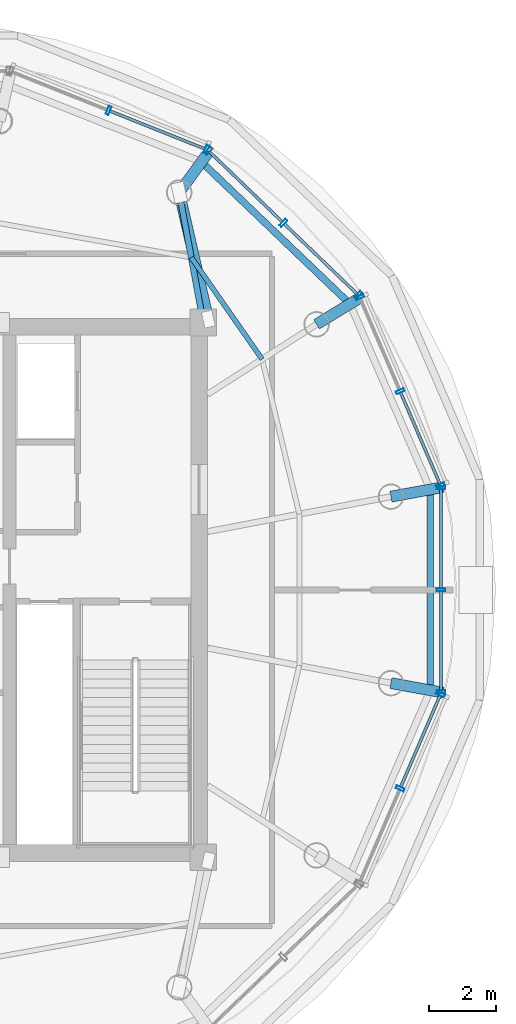
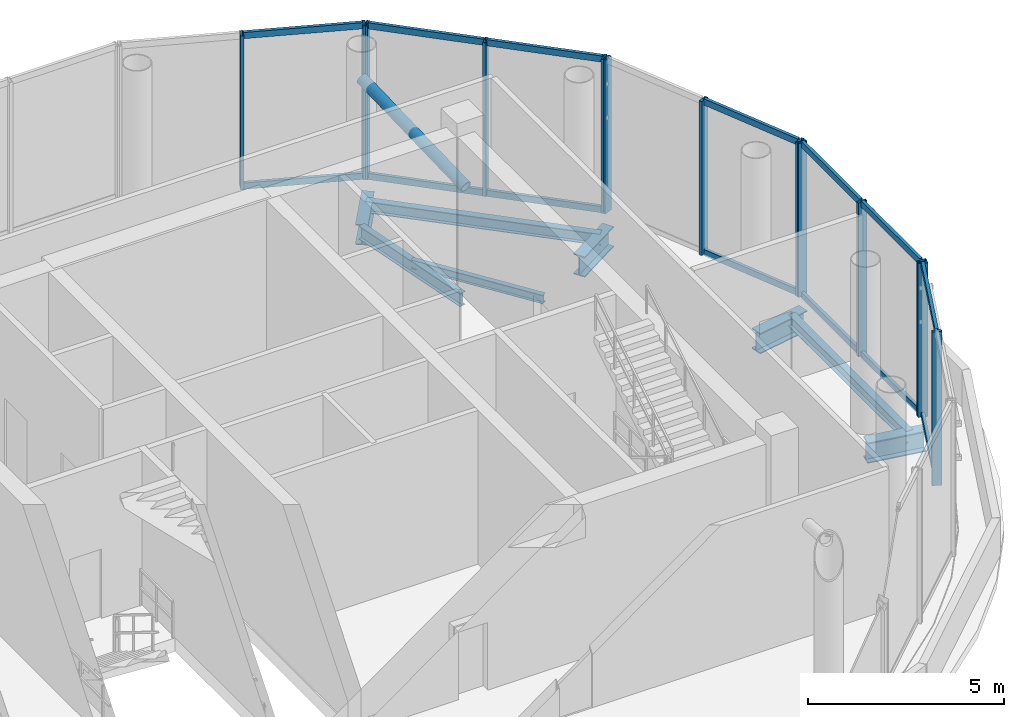
# One storey, part 7 of 14: 28 members, 8 beams, 5 elements without a shape of their own.
"""IFC4 building model written with IfcOpenShell, lengths in metres."""

from ifc_helpers import new_model, si_unit, direction, frame, origin, origin_2d, place, context, subcontext, project, spatial, hollow_rectangle, hollow_circle, i_section, extrude, source, transform, mapped, material, material_profile, profile_set, type_object, element, aggregate, save


model = new_model("IFC4")

# Units and contexts
model_context = context("Model", 3, precision=1e-05, world=origin(), true_north=direction((-0.2419218956, 0.970295726276)))
body_context = subcontext(model_context, "Body", "Model", "MODEL_VIEW")
ifc_project = project(units=[si_unit("LENGTHUNIT", "METRE"), si_unit("AREAUNIT", "SQUARE_METRE"), si_unit("VOLUMEUNIT", "CUBIC_METRE"), si_unit("PLANEANGLEUNIT", "RADIAN"), si_unit("MASSUNIT", "GRAM", prefix="KILO")], contexts=[model_context])

# Site, building, storey
site_placement = place(None, origin())
site = spatial("IfcSite", under=ifc_project, at=site_placement, CompositionType="ELEMENT")
building_placement = place(site_placement, origin())
building = spatial("IfcBuilding", under=site, at=building_placement, Name="Cobrevalo Terracotta Tower", CompositionType="ELEMENT")
storey_placement = place(building_placement, frame((0.0, 0.0, 321.699951171875)))
storey = spatial("IfcBuildingStorey", under=building, at=storey_placement, Name="L83", CompositionType="ELEMENT", Elevation=321.699951171875)

# Beams
ifc_material_1 = material(Name="Steel S355", Category="steel")
ifc_material_profile_1 = material_profile(ifc_material_1, i_section(OverallWidth=0.179931640625, OverallDepth=0.4130859375, WebThickness=0.009765625, FlangeThickness=0.01611328125, at=origin_2d()), Name="W 410x75")
ifc_profile_set_1 = profile_set([ifc_material_profile_1], Name="Steel S355")
beam_type_1 = type_object("IfcBeamType", Name="Structural Beam W 410x75 (Steel S355)", PredefinedType="BEAM", material=ifc_profile_set_1)
beam_1_placement = place(storey_placement, frame((46.278076171875, 38.68994140625, -0.62646484375), z_axis=(0.18247374128, -0.983210727028, 0.0), x_axis=(0.983210727028, 0.18247374128, 0.0)))
element("IfcBeam", 1, at=beam_1_placement, inside=storey, type_object=beam_type_1, Name="L83 radial floor girder 03", PredefinedType="BEAM", context=body_context, shape_type="SweptSolid", body=[
    extrude(i_section(OverallWidth=0.179931640625, OverallDepth=0.4130859375, WebThickness=0.009765625, FlangeThickness=0.01611328125, at=origin_2d()), origin(), (0.0, 0.0, 1.0), 3.956298828125),
])
ifc_material_profile_2 = material_profile(ifc_material_1, i_section(OverallWidth=0.3291015625, OverallDepth=0.635009765625, WebThickness=0.017822265625, FlangeThickness=0.031005859375, at=origin_2d()), Name="W 610x241")
ifc_profile_set_2 = profile_set([ifc_material_profile_2], Name="Steel S355")
beam_type_2 = type_object("IfcBeamType", Name="Structural Beam W 610x241 (Steel S355)", PredefinedType="BEAM", material=ifc_profile_set_2)
beam_2_placement = place(storey_placement, frame((54.16455078125, 29.87255859375, -0.737548828125), z_axis=(-0.983785547298, -0.179348813566, 0.0), x_axis=(0.179348813566, -0.983785547298, 0.0)))
element("IfcBeam", 2, at=beam_2_placement, inside=storey, type_object=beam_type_2, Name="L83 setback step-link girder 01", PredefinedType="BEAM", context=body_context, shape_type="SweptSolid", body=[
    extrude(i_section(OverallWidth=0.3291015625, OverallDepth=0.635009765625, WebThickness=0.017822265625, FlangeThickness=0.031005859375, at=origin_2d()), origin(), (0.0, 0.0, 1.0), 1.576416015625),
])
beam_3_placement = place(storey_placement, frame((51.710693359375, 35.55419921875, -0.737548828125), z_axis=(-0.852759676471, -0.522303488581, 0.0), x_axis=(0.522303488581, -0.852759676471, 0.0)))
element("IfcBeam", 3, at=beam_3_placement, inside=storey, type_object=beam_type_2, Name="L83 setback step-link girder 02", PredefinedType="BEAM", context=body_context, shape_type="SweptSolid", body=[
    extrude(i_section(OverallWidth=0.3291015625, OverallDepth=0.635009765625, WebThickness=0.017822265625, FlangeThickness=0.031005859375, at=origin_2d()), origin(), (0.0, 0.0, 1.0), 1.550048828125),
])
beam_4_placement = place(storey_placement, frame((47.16845703125, 39.91162109375, -0.737548828125), z_axis=(-0.588987623861, -0.808142053688, 0.0), x_axis=(0.808142053688, -0.588987623861, 0.0)))
element("IfcBeam", 4, at=beam_4_placement, inside=storey, type_object=beam_type_2, Name="L83 setback step-link girder 03", PredefinedType="BEAM", context=body_context, shape_type="SweptSolid", body=[
    extrude(i_section(OverallWidth=0.3291015625, OverallDepth=0.635009765625, WebThickness=0.017822265625, FlangeThickness=0.031005859375, at=origin_2d()), origin(), (0.0, 0.0, 1.0), 1.51171875),
])
beam_5_placement = place(storey_placement, frame((54.16455078125, 23.7275390625, -0.737548828125), z_axis=(-0.983785547298, 0.179348813566, 0.0), x_axis=(-0.179348813566, -0.983785547298, 0.0)))
element("IfcBeam", 5, at=beam_5_placement, inside=storey, type_object=beam_type_2, Name="L83 setback step-link girder 16", PredefinedType="BEAM", context=body_context, shape_type="SweptSolid", body=[
    extrude(i_section(OverallWidth=0.3291015625, OverallDepth=0.635009765625, WebThickness=0.017822265625, FlangeThickness=0.031005859375, at=origin_2d()), origin(), (0.0, 0.0, 1.0), 1.576416015625),
])
ifc_material_profile_3 = material_profile(ifc_material_1, i_section(OverallWidth=0.14794921875, OverallDepth=0.26611328125, WebThickness=0.007568359375, FlangeThickness=0.012939453125, at=origin_2d()), Name="W 250x44.8")
ifc_profile_set_3 = profile_set([ifc_material_profile_3], Name="Steel S355")
beam_type_3 = type_object("IfcBeamType", Name="Structural Joist W 250x44.8 (Steel S355)", PredefinedType="JOIST", material=ifc_profile_set_3)
beam_6_placement = place(storey_placement, frame((48.759521484375, 33.69970703125, -0.552978515625), z_axis=(-0.571438375461, 0.82064497991, 0.0), x_axis=(-0.82064497991, -0.571438375461, 0.0)))
element("IfcBeam", 6, at=beam_6_placement, inside=storey, type_object=beam_type_3, Name="L83 circumferential secondary floor joist 02", PredefinedType="JOIST", context=body_context, shape_type="SweptSolid", body=[
    extrude(i_section(OverallWidth=0.14794921875, OverallDepth=0.26611328125, WebThickness=0.007568359375, FlangeThickness=0.012939453125, at=origin_2d()), origin(), (0.0, 0.0, 1.0), 3.7109375),
])
ifc_material_profile_4 = material_profile(ifc_material_1, i_section(OverallWidth=0.205078125, OverallDepth=0.35400390625, WebThickness=0.009521484375, FlangeThickness=0.016845703125, at=origin_2d()), Name="W 360x79")
ifc_profile_set_4 = profile_set([ifc_material_profile_4], Name="Steel S355")
beam_type_4 = type_object("IfcBeamType", Name="Structural Spandrel W 360x79 (Steel S355)", PredefinedType="SPANDREL", material=ifc_profile_set_4)
beam_7_placement = place(storey_placement, frame((51.38671875, 35.355712890625, -0.596923828125), z_axis=(-0.72264013205, 0.691224449475, 0.0), x_axis=(-0.691224449475, -0.72264013205, 0.0)))
element("IfcBeam", 7, at=beam_7_placement, inside=storey, type_object=beam_type_4, Name="L83 perimeter ring spandrel 02", PredefinedType="SPANDREL", context=body_context, shape_type="SweptSolid", body=[
    extrude(i_section(OverallWidth=0.205078125, OverallDepth=0.35400390625, WebThickness=0.009521484375, FlangeThickness=0.016845703125, at=origin_2d()), origin(), (0.0, 0.0, 1.0), 6.147216796875),
])
beam_8_placement = place(storey_placement, frame((53.79052734375, 23.795654296875, -0.596923828125), z_axis=(0.0, 1.0, 0.0), x_axis=(-1.0, 0.0, 0.0)))
element("IfcBeam", 8, at=beam_8_placement, inside=storey, type_object=beam_type_4, Name="L83 perimeter ring spandrel 16", PredefinedType="SPANDREL", context=body_context, shape_type="SweptSolid", body=[
    extrude(i_section(OverallWidth=0.205078125, OverallDepth=0.35400390625, WebThickness=0.009521484375, FlangeThickness=0.016845703125, at=origin_2d()), origin(), (0.0, 0.0, 1.0), 6.0087890625),
])

# Member
ifc_material_profile_5 = material_profile(ifc_material_1, hollow_circle(Radius=0.162109375, WallThickness=0.013916015625, at=origin_2d()), Name="CHS 324x14")
ifc_profile_set_5 = profile_set([ifc_material_profile_5], Name="Steel S355")
member_type_1 = type_object("IfcMemberType", Name="Steel Brace CHS 324x14 (Steel S355)", PredefinedType="BRACE", material=ifc_profile_set_5)
shared_shape_1 = source(origin(), body_context, "Body", "SweptSolid", [
    extrude(hollow_circle(Radius=0.162109375, WallThickness=0.013916015625, at=origin_2d()), origin(), (0.0, 0.0, 1.0), 4.126708984375),
])
member_1_placement = place(storey_placement, frame((47.14990234375, 34.89990234375, 2.75), z_axis=(-0.211267372013, 0.918430322917, 0.334442580227), x_axis=(-0.974548603832, -0.224176311794, 0.0)))
element("IfcMember", 9, at=member_1_placement, inside=storey, type_object=member_type_1, Name="L83 CROWN FRAME radial brace 01", PredefinedType="BRACE", context=body_context, shape_type="MappedRepresentation", body=[
    mapped(shared_shape_1, transform((0.0, 0.0, 0.0), scale=1.0)),
])

# Curtain wall, members
ifc_material_2 = material(Name="Anodized aluminium", Category="aluminium")
curtain_wall_type = type_object("IfcCurtainWallType", Name="Faceted glass-point crown structural glazing system CW-CR", PredefinedType="NOTDEFINED", material=ifc_material_2)
curtain_wall_1_placement = place(storey_placement, origin())
curtain_wall_1 = element("IfcCurtainWall", 10, at=curtain_wall_1_placement, inside=storey, type_object=curtain_wall_type, Name="L83 curtain wall CW-CRN-L83-S01", PredefinedType="NOTDEFINED")
ifc_material_profile_6 = material_profile(ifc_material_2, hollow_rectangle(XDim=0.090087890625, YDim=0.260009765625, WallThickness=0.006103515625, at=origin_2d()), Name="CWM 90x260")
ifc_profile_set_6 = profile_set([ifc_material_profile_6], Name="Anodized aluminium")
member_type_2 = type_object("IfcMemberType", Name="Crown structural glass mullion 90x260", PredefinedType="MULLION", material=ifc_profile_set_6)
shared_shape_2 = source(origin(), body_context, "Body", "SweptSolid", [
    extrude(hollow_rectangle(XDim=0.090087890625, YDim=0.260009765625, WallThickness=0.006103515625, at=origin_2d()), origin(), (0.0, 0.0, 1.0), 4.780029296875),
])
member_2_placement = place(storey_placement, frame((54.098388671875, 29.925048828125, 0.0), z_axis=(0.0, 0.0, 1.0), x_axis=(-0.394968347643, 0.918694728602, 0.0)))
member_2 = element("IfcMember", 11, at=member_2_placement, type_object=member_type_2, Name="CW-CRN-L83-S01 vertical mullion 01", PredefinedType="MULLION", context=body_context, shape_type="MappedRepresentation", body=[
    mapped(shared_shape_2, transform((0.0, 0.0, 0.0), scale=1.0)),
])
member_3_placement = place(storey_placement, frame((52.8876953125, 32.741455078125, 0.0), z_axis=(0.0, 0.0, 1.0), x_axis=(-0.394968347643, 0.918694728602, 0.0)))
member_3 = element("IfcMember", 12, at=member_3_placement, type_object=member_type_2, Name="CW-CRN-L83-S01 vertical mullion 02", PredefinedType="MULLION", context=body_context, shape_type="MappedRepresentation", body=[
    mapped(shared_shape_2, transform((0.0, 0.0, 0.0), scale=1.0)),
])
member_4_placement = place(storey_placement, frame((51.6767578125, 35.557861328125, 0.0), z_axis=(0.0, 0.0, 1.0), x_axis=(-0.394968347643, 0.918694728602, 0.0)))
member_4 = element("IfcMember", 13, at=member_4_placement, type_object=member_type_2, Name="CW-CRN-L83-S01 vertical mullion 03", PredefinedType="MULLION", context=body_context, shape_type="MappedRepresentation", body=[
    mapped(shared_shape_2, transform((0.0, 0.0, 0.0), scale=1.0)),
])

curtain_wall_2_placement = place(storey_placement, origin())
curtain_wall_2 = element("IfcCurtainWall", 14, at=curtain_wall_2_placement, inside=storey, type_object=curtain_wall_type, Name="L83 curtain wall CW-CRN-L83-S02", PredefinedType="NOTDEFINED")
member_5_placement = place(storey_placement, frame((51.63232421875, 35.622314453125, 0.0), z_axis=(0.0, 0.0, 1.0), x_axis=(-0.72013951191, 0.693829289801, 0.0)))
member_5 = element("IfcMember", 15, at=member_5_placement, type_object=member_type_2, Name="CW-CRN-L83-S02 vertical mullion 01", PredefinedType="MULLION", context=body_context, shape_type="MappedRepresentation", body=[
    mapped(shared_shape_2, transform((0.0, 0.0, 0.0), scale=1.0)),
])
member_6_placement = place(storey_placement, frame((49.39453125, 37.7783203125, 0.0), z_axis=(0.0, 0.0, 1.0), x_axis=(-0.72013951191, 0.693829289801, 0.0)))
member_6 = element("IfcMember", 16, at=member_6_placement, type_object=member_type_2, Name="CW-CRN-L83-S02 vertical mullion 02", PredefinedType="MULLION", context=body_context, shape_type="MappedRepresentation", body=[
    mapped(shared_shape_2, transform((0.0, 0.0, 0.0), scale=1.0)),
])
member_7_placement = place(storey_placement, frame((47.15673828125, 39.934326171875, 0.0), z_axis=(0.0, 0.0, 1.0), x_axis=(-0.72013951191, 0.693829289801, 0.0)))
member_7 = element("IfcMember", 17, at=member_7_placement, type_object=member_type_2, Name="CW-CRN-L83-S02 vertical mullion 03", PredefinedType="MULLION", context=body_context, shape_type="MappedRepresentation", body=[
    mapped(shared_shape_2, transform((0.0, 0.0, 0.0), scale=1.0)),
])

curtain_wall_3_placement = place(storey_placement, origin())
curtain_wall_3 = element("IfcCurtainWall", 18, at=curtain_wall_3_placement, inside=storey, type_object=curtain_wall_type, Name="L83 curtain wall CW-CRN-L83-S03", PredefinedType="NOTDEFINED")
member_8_placement = place(storey_placement, frame((47.0908203125, 39.97705078125, 0.0), z_axis=(0.0, 0.0, 1.0), x_axis=(-0.928770743095, 0.370654700187, 0.0)))
member_8 = element("IfcMember", 19, at=member_8_placement, type_object=member_type_2, Name="CW-CRN-L83-S03 vertical mullion 01", PredefinedType="MULLION", context=body_context, shape_type="MappedRepresentation", body=[
    mapped(shared_shape_2, transform((0.0, 0.0, 0.0), scale=1.0)),
])
member_9_placement = place(storey_placement, frame((44.166748046875, 41.14404296875, 0.0), z_axis=(0.0, 0.0, 1.0), x_axis=(-0.928770743095, 0.370654700187, 0.0)))
member_9 = element("IfcMember", 20, at=member_9_placement, type_object=member_type_2, Name="CW-CRN-L83-S03 vertical mullion 02", PredefinedType="MULLION", context=body_context, shape_type="MappedRepresentation", body=[
    mapped(shared_shape_2, transform((0.0, 0.0, 0.0), scale=1.0)),
])

curtain_wall_4_placement = place(storey_placement, origin())
curtain_wall_4 = element("IfcCurtainWall", 21, at=curtain_wall_4_placement, inside=storey, type_object=curtain_wall_type, Name="L83 curtain wall CW-CRN-L83-S15", PredefinedType="NOTDEFINED")
member_10_placement = place(storey_placement, frame((52.8876953125, 20.858642578125, 0.0), z_axis=(0.0, 0.0, 1.0), x_axis=(0.394968347643, 0.918694728602, 0.0)))
member_10 = element("IfcMember", 22, at=member_10_placement, type_object=member_type_2, Name="CW-CRN-L83-S15 vertical mullion 02", PredefinedType="MULLION", context=body_context, shape_type="MappedRepresentation", body=[
    mapped(shared_shape_2, transform((0.0, 0.0, 0.0), scale=1.0)),
])
member_11_placement = place(storey_placement, frame((54.098388671875, 23.675048828125, 0.0), z_axis=(0.0, 0.0, 1.0), x_axis=(0.394968347643, 0.918694728602, 0.0)))
member_11 = element("IfcMember", 23, at=member_11_placement, type_object=member_type_2, Name="CW-CRN-L83-S15 vertical mullion 03", PredefinedType="MULLION", context=body_context, shape_type="MappedRepresentation", body=[
    mapped(shared_shape_2, transform((0.0, 0.0, 0.0), scale=1.0)),
])

curtain_wall_5_placement = place(storey_placement, origin())
curtain_wall_5 = element("IfcCurtainWall", 24, at=curtain_wall_5_placement, inside=storey, type_object=curtain_wall_type, Name="L83 curtain wall CW-CRN-L83-S16", PredefinedType="NOTDEFINED")
member_12_placement = place(storey_placement, frame((54.1142578125, 23.751708984375, 0.0), z_axis=(0.0, 0.0, 1.0), x_axis=(0.0, 1.0, 0.0)))
member_12 = element("IfcMember", 25, at=member_12_placement, type_object=member_type_2, Name="CW-CRN-L83-S16 vertical mullion 01", PredefinedType="MULLION", context=body_context, shape_type="MappedRepresentation", body=[
    mapped(shared_shape_2, transform((0.0, 0.0, 0.0), scale=1.0)),
])
member_13_placement = place(storey_placement, frame((54.1142578125, 26.800048828125, 0.0), z_axis=(0.0, 0.0, 1.0), x_axis=(0.0, 1.0, 0.0)))
member_13 = element("IfcMember", 26, at=member_13_placement, type_object=member_type_2, Name="CW-CRN-L83-S16 vertical mullion 02", PredefinedType="MULLION", context=body_context, shape_type="MappedRepresentation", body=[
    mapped(shared_shape_2, transform((0.0, 0.0, 0.0), scale=1.0)),
])
member_14_placement = place(storey_placement, frame((54.1142578125, 29.848388671875, 0.0), z_axis=(0.0, 0.0, 1.0), x_axis=(0.0, 1.0, 0.0)))
member_14 = element("IfcMember", 27, at=member_14_placement, type_object=member_type_2, Name="CW-CRN-L83-S16 vertical mullion 03", PredefinedType="MULLION", context=body_context, shape_type="MappedRepresentation", body=[
    mapped(shared_shape_2, transform((0.0, 0.0, 0.0), scale=1.0)),
])

# Member
ifc_material_profile_7 = material_profile(ifc_material_2, hollow_rectangle(XDim=0.090087890625, YDim=0.195068359375, WallThickness=0.005615234375, at=origin_2d()), Name="CWT 90x195")
ifc_profile_set_7 = profile_set([ifc_material_profile_7], Name="Anodized aluminium")
member_type_3 = type_object("IfcMemberType", Name="Crown structural aluminium transom 90x195", PredefinedType="USERDEFINED", material=ifc_profile_set_7)
shared_shape_3 = source(origin(), body_context, "Body", "SweptSolid", [
    extrude(hollow_rectangle(XDim=0.090087890625, YDim=0.195068359375, WallThickness=0.005615234375, at=origin_2d()), origin(), (0.0, 0.0, 1.0), 2.98583984375),
])
member_15_placement = place(storey_placement, frame((54.082763671875, 29.961669921875, 0.050048828125), z_axis=(-0.394925619427, 0.918713097284, 0.0), x_axis=(-0.918713097284, -0.394925619427, 0.0)))
member_15 = element("IfcMember", 28, at=member_15_placement, type_object=member_type_3, Name="CW-CRN-L83-S01 transom B01-T1", ObjectType="TRANSOM", PredefinedType="USERDEFINED", context=body_context, shape_type="MappedRepresentation", body=[
    mapped(shared_shape_3, transform((0.0, 0.0, 0.0), scale=1.0)),
])

member_16_placement = place(storey_placement, frame((54.082763671875, 29.961669921875, 4.72998046875), z_axis=(-0.394925619427, 0.918713097284, 0.0), x_axis=(-0.918713097284, -0.394925619427, 0.0)))
member_16 = element("IfcMember", 29, at=member_16_placement, type_object=member_type_3, Name="CW-CRN-L83-S01 transom B01-T2", ObjectType="TRANSOM", PredefinedType="USERDEFINED", context=body_context, shape_type="MappedRepresentation", body=[
    mapped(shared_shape_3, transform((0.0, 0.0, 0.0), scale=1.0)),
])

aggregate(curtain_wall_1, [member_2, member_3, member_4, member_15, member_16])

shared_shape_4 = source(origin(), body_context, "Body", "SweptSolid", [
    extrude(hollow_rectangle(XDim=0.090087890625, YDim=0.195068359375, WallThickness=0.005615234375, at=origin_2d()), origin(), (0.0, 0.0, 1.0), 2.985595703125),
])
member_17_placement = place(storey_placement, frame((52.903564453125, 20.895263671875, 0.050048828125), z_axis=(0.39495528775, 0.918700343245, 0.0), x_axis=(-0.918700343245, 0.39495528775, 0.0)))
member_17 = element("IfcMember", 30, at=member_17_placement, type_object=member_type_3, Name="CW-CRN-L83-S15 transom B02-T1", ObjectType="TRANSOM", PredefinedType="USERDEFINED", context=body_context, shape_type="MappedRepresentation", body=[
    mapped(shared_shape_4, transform((0.0, 0.0, 0.0), scale=1.0)),
])

member_18_placement = place(storey_placement, frame((52.903564453125, 20.895263671875, 4.72998046875), z_axis=(0.39495528775, 0.918700343245, 0.0), x_axis=(-0.918700343245, 0.39495528775, 0.0)))
member_18 = element("IfcMember", 31, at=member_18_placement, type_object=member_type_3, Name="CW-CRN-L83-S15 transom B02-T2", ObjectType="TRANSOM", PredefinedType="USERDEFINED", context=body_context, shape_type="MappedRepresentation", body=[
    mapped(shared_shape_4, transform((0.0, 0.0, 0.0), scale=1.0)),
])

aggregate(curtain_wall_4, [member_10, member_11, member_17, member_18])

shared_shape_5 = source(origin(), body_context, "Body", "SweptSolid", [
    extrude(hollow_rectangle(XDim=0.090087890625, YDim=0.195068359375, WallThickness=0.005615234375, at=origin_2d()), origin(), (0.0, 0.0, 1.0), 3.027587890625),
])
member_19_placement = place(storey_placement, frame((51.603515625, 35.650146484375, 0.050048828125), z_axis=(-0.720129171854, 0.693840021795, 0.0), x_axis=(-0.693840021795, -0.720129171854, 0.0)))
member_19 = element("IfcMember", 32, at=member_19_placement, type_object=member_type_3, Name="CW-CRN-L83-S02 transom B01-T1", ObjectType="TRANSOM", PredefinedType="USERDEFINED", context=body_context, shape_type="MappedRepresentation", body=[
    mapped(shared_shape_5, transform((0.0, 0.0, 0.0), scale=1.0)),
])

member_20_placement = place(storey_placement, frame((51.603515625, 35.650146484375, 4.72998046875), z_axis=(-0.720129171854, 0.693840021795, 0.0), x_axis=(-0.693840021795, -0.720129171854, 0.0)))
member_20 = element("IfcMember", 33, at=member_20_placement, type_object=member_type_3, Name="CW-CRN-L83-S02 transom B01-T2", ObjectType="TRANSOM", PredefinedType="USERDEFINED", context=body_context, shape_type="MappedRepresentation", body=[
    mapped(shared_shape_5, transform((0.0, 0.0, 0.0), scale=1.0)),
])

member_21_placement = place(storey_placement, frame((49.36572265625, 37.80615234375, 0.050048828125), z_axis=(-0.720129171854, 0.693840021795, 0.0), x_axis=(-0.693840021795, -0.720129171854, 0.0)))
member_21 = element("IfcMember", 34, at=member_21_placement, type_object=member_type_3, Name="CW-CRN-L83-S02 transom B02-T1", ObjectType="TRANSOM", PredefinedType="USERDEFINED", context=body_context, shape_type="MappedRepresentation", body=[
    mapped(shared_shape_5, transform((0.0, 0.0, 0.0), scale=1.0)),
])

member_22_placement = place(storey_placement, frame((49.36572265625, 37.80615234375, 4.72998046875), z_axis=(-0.720129171854, 0.693840021795, 0.0), x_axis=(-0.693840021795, -0.720129171854, 0.0)))
member_22 = element("IfcMember", 35, at=member_22_placement, type_object=member_type_3, Name="CW-CRN-L83-S02 transom B02-T2", ObjectType="TRANSOM", PredefinedType="USERDEFINED", context=body_context, shape_type="MappedRepresentation", body=[
    mapped(shared_shape_5, transform((0.0, 0.0, 0.0), scale=1.0)),
])

aggregate(curtain_wall_2, [member_5, member_6, member_7, member_19, member_20, member_21, member_22])

shared_shape_6 = source(origin(), body_context, "Body", "SweptSolid", [
    extrude(hollow_rectangle(XDim=0.090087890625, YDim=0.195068359375, WallThickness=0.005615234375, at=origin_2d()), origin(), (0.0, 0.0, 1.0), 3.068359375),
])
member_23_placement = place(storey_placement, frame((47.0537109375, 39.99169921875, 0.050048828125), z_axis=(-0.928756274811, 0.370690952141, 0.0), x_axis=(-0.370690952141, -0.928756274811, 0.0)))
member_23 = element("IfcMember", 36, at=member_23_placement, type_object=member_type_3, Name="CW-CRN-L83-S03 transom B01-T1", ObjectType="TRANSOM", PredefinedType="USERDEFINED", context=body_context, shape_type="MappedRepresentation", body=[
    mapped(shared_shape_6, transform((0.0, 0.0, 0.0), scale=1.0)),
])

member_24_placement = place(storey_placement, frame((47.0537109375, 39.99169921875, 4.72998046875), z_axis=(-0.928756274811, 0.370690952141, 0.0), x_axis=(-0.370690952141, -0.928756274811, 0.0)))
member_24 = element("IfcMember", 37, at=member_24_placement, type_object=member_type_3, Name="CW-CRN-L83-S03 transom B01-T2", ObjectType="TRANSOM", PredefinedType="USERDEFINED", context=body_context, shape_type="MappedRepresentation", body=[
    mapped(shared_shape_6, transform((0.0, 0.0, 0.0), scale=1.0)),
])

aggregate(curtain_wall_3, [member_8, member_9, member_23, member_24])

shared_shape_7 = source(origin(), body_context, "Body", "SweptSolid", [
    extrude(hollow_rectangle(XDim=0.090087890625, YDim=0.195068359375, WallThickness=0.005615234375, at=origin_2d()), origin(), (0.0, 0.0, 1.0), 2.96826171875),
])
member_25_placement = place(storey_placement, frame((54.1142578125, 23.791748046875, 0.050048828125), z_axis=(0.0, 1.0, 0.0), x_axis=(-1.0, 0.0, 0.0)))
member_25 = element("IfcMember", 38, at=member_25_placement, type_object=member_type_3, Name="CW-CRN-L83-S16 transom B01-T1", ObjectType="TRANSOM", PredefinedType="USERDEFINED", context=body_context, shape_type="MappedRepresentation", body=[
    mapped(shared_shape_7, transform((0.0, 0.0, 0.0), scale=1.0)),
])

member_26_placement = place(storey_placement, frame((54.1142578125, 23.791748046875, 4.72998046875), z_axis=(0.0, 1.0, 0.0), x_axis=(-1.0, 0.0, 0.0)))
member_26 = element("IfcMember", 39, at=member_26_placement, type_object=member_type_3, Name="CW-CRN-L83-S16 transom B01-T2", ObjectType="TRANSOM", PredefinedType="USERDEFINED", context=body_context, shape_type="MappedRepresentation", body=[
    mapped(shared_shape_7, transform((0.0, 0.0, 0.0), scale=1.0)),
])

member_27_placement = place(storey_placement, frame((54.1142578125, 26.840087890625, 0.050048828125), z_axis=(0.0, 1.0, 0.0), x_axis=(-1.0, 0.0, 0.0)))
member_27 = element("IfcMember", 40, at=member_27_placement, type_object=member_type_3, Name="CW-CRN-L83-S16 transom B02-T1", ObjectType="TRANSOM", PredefinedType="USERDEFINED", context=body_context, shape_type="MappedRepresentation", body=[
    mapped(shared_shape_7, transform((0.0, 0.0, 0.0), scale=1.0)),
])

member_28_placement = place(storey_placement, frame((54.1142578125, 26.840087890625, 4.72998046875), z_axis=(0.0, 1.0, 0.0), x_axis=(-1.0, 0.0, 0.0)))
member_28 = element("IfcMember", 41, at=member_28_placement, type_object=member_type_3, Name="CW-CRN-L83-S16 transom B02-T2", ObjectType="TRANSOM", PredefinedType="USERDEFINED", context=body_context, shape_type="MappedRepresentation", body=[
    mapped(shared_shape_7, transform((0.0, 0.0, 0.0), scale=1.0)),
])

aggregate(curtain_wall_5, [member_12, member_13, member_14, member_25, member_26, member_27, member_28])

save(model, "model.ifc")
